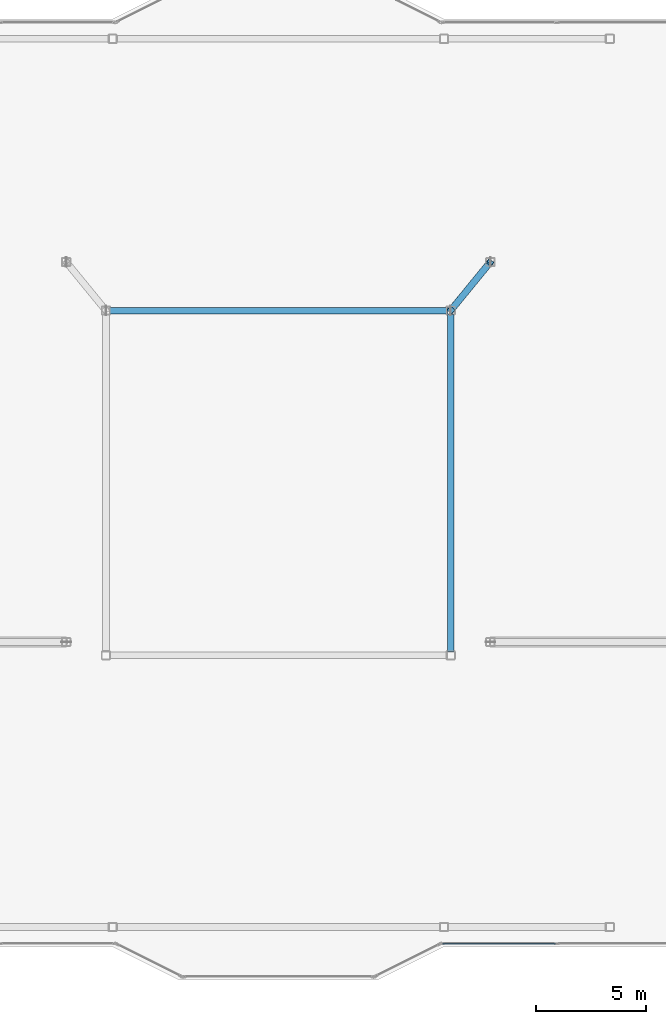
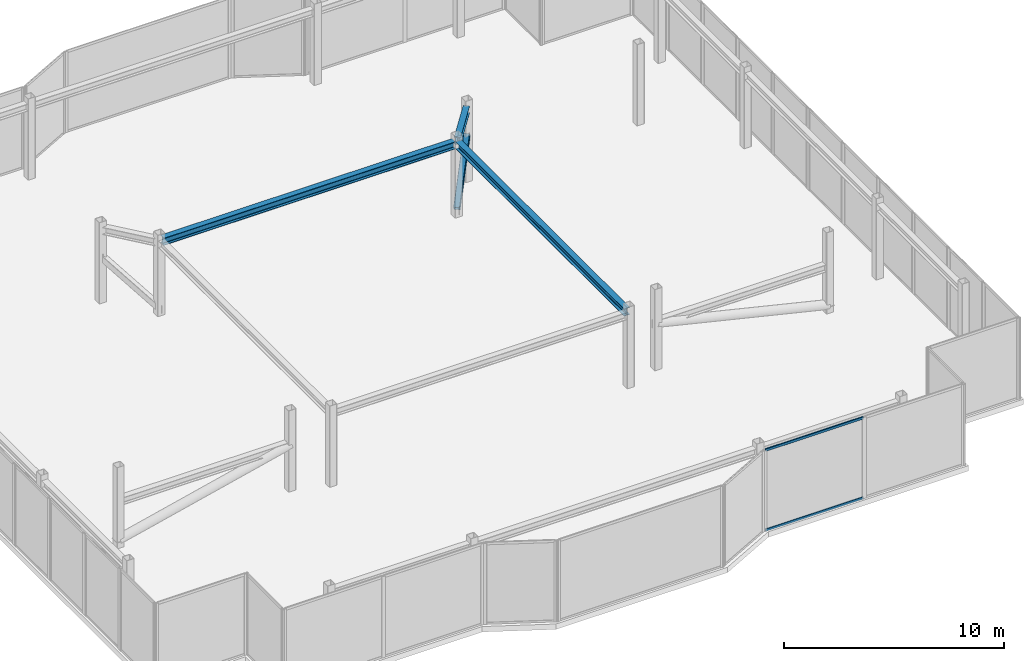
# One storey, part 7 of 14: 3 beams, 3 members, 1 element without a shape of its own.
"""IFC4 building model written with IfcOpenShell, lengths in metres."""

from ifc_helpers import new_model, si_unit, direction, frame, origin, origin_2d, place, context, subcontext, project, spatial, hollow_rectangle, i_section, extrude, material, layer, layer_set, material_profile, profile_set, type_object, element, aggregate, save


model = new_model("IFC4")

# Units and contexts
model_context = context("Model", 3, precision=1e-05, world=origin(), true_north=direction((0.0, 1.0)))
body_context = subcontext(model_context, "Body", "Model", "MODEL_VIEW")
ifc_project = project(units=[si_unit("LENGTHUNIT", "METRE"), si_unit("AREAUNIT", "SQUARE_METRE"), si_unit("VOLUMEUNIT", "CUBIC_METRE"), si_unit("PLANEANGLEUNIT", "RADIAN"), si_unit("MASSUNIT", "GRAM", prefix="KILO")], contexts=[model_context])

# Site, building, storey
site_placement = place(None, origin())
site = spatial("IfcSite", under=ifc_project, at=site_placement, CompositionType="ELEMENT")
building_placement = place(site_placement, origin())
building = spatial("IfcBuilding", under=site, at=building_placement, Name="Tarnavaz Court Tower", CompositionType="ELEMENT")
storey_placement = place(building_placement, frame((0.0, 0.0, 286.050048828125)))
storey = spatial("IfcBuildingStorey", under=building, at=storey_placement, Name="C02", CompositionType="ELEMENT", Elevation=286.050048828125)

# Beams
ifc_material_1 = material(Name="Steel S355", Category="steel")
ifc_material_profile_1 = material_profile(ifc_material_1, i_section(OverallWidth=0.300048828125, OverallDepth=0.39990234375, WebThickness=0.013427734375, FlangeThickness=0.02392578125, FilletRadius=0.027099609375, at=origin_2d()), Name="HEB 400")
ifc_profile_set_1 = profile_set([ifc_material_profile_1], Name="Steel S355")
beam_type = type_object("IfcBeamType", Name="BM-G-HEB400", PredefinedType="USERDEFINED", material=ifc_profile_set_1)
beam_1_placement = place(storey_placement, frame((-7.64990234375, 7.800048828125, 4.0), z_axis=(1.0, 0.0, 0.0), x_axis=(0.0, 1.0, 0.0)))
element("IfcBeam", 1, at=beam_1_placement, inside=storey, type_object=beam_type, Name="C02 Beam CRG-IW-NW-IW-NE", ObjectType="GIRDER", PredefinedType="USERDEFINED", context=body_context, shape_type="SweptSolid", body=[
    extrude(i_section(OverallWidth=0.300048828125, OverallDepth=0.39990234375, WebThickness=0.013427734375, FlangeThickness=0.02392578125, FilletRadius=0.027099609375, at=origin_2d()), origin(), (0.0, 0.0, 1.0), 15.2998046875),
])
beam_2_placement = place(storey_placement, frame((9.5048828125, 9.8837890625, 4.0), z_axis=(-0.633206414362, -0.773982969329, 0.0), x_axis=(0.773982969329, -0.633206414362, 0.0)))
element("IfcBeam", 2, at=beam_2_placement, inside=storey, type_object=beam_type, Name="C02 Beam CRG-CE-NI-IW-NE", ObjectType="GIRDER", PredefinedType="USERDEFINED", context=body_context, shape_type="SweptSolid", body=[
    extrude(i_section(OverallWidth=0.300048828125, OverallDepth=0.39990234375, WebThickness=0.013427734375, FlangeThickness=0.02392578125, FilletRadius=0.027099609375, at=origin_2d()), origin(), (0.0, 0.0, 1.0), 2.54248046875),
])
beam_3_placement = place(storey_placement, frame((7.800048828125, -7.64990234375, 4.0), z_axis=(0.0, 1.0, 0.0), x_axis=(-1.0, 0.0, 0.0)))
element("IfcBeam", 3, at=beam_3_placement, inside=storey, type_object=beam_type, Name="C02 Beam CRG-IW-SE-IW-NE", ObjectType="GIRDER", PredefinedType="USERDEFINED", context=body_context, shape_type="SweptSolid", body=[
    extrude(i_section(OverallWidth=0.300048828125, OverallDepth=0.39990234375, WebThickness=0.013427734375, FlangeThickness=0.02392578125, FilletRadius=0.027099609375, at=origin_2d()), origin(), (0.0, 0.0, 1.0), 15.2998046875),
])

# Curtain wall, members
ifc_material_2 = material(Name="Anodised Aluminium 6063-T6 and Solar Low-E Glazing", Category="aluminium")
ifc_layer = layer(ifc_material_2, 0.2099609375)
ifc_layer_set = layer_set([ifc_layer], Name="Anodised Aluminium 6063-T6 and Solar Low-E Glazing")
curtain_wall_type = type_object("IfcCurtainWallType", Name="CW-SYS-06", PredefinedType="NOTDEFINED", material=ifc_layer_set)
curtain_wall_placement = place(storey_placement, origin())
curtain_wall = element("IfcCurtainWall", 4, at=curtain_wall_placement, inside=storey, type_object=curtain_wall_type, Name="C02 Slanted Crown Terracotta Curtain Wall 37", PredefinedType="NOTDEFINED")
ifc_material_3 = material(Name="Anodised Aluminium 6063-T6", Category="aluminium")
ifc_material_profile_2 = material_profile(ifc_material_3, hollow_rectangle(XDim=0.06494140625, YDim=0.139892578125, WallThickness=0.00390625, InnerFilletRadius=0.00390625, OuterFilletRadius=0.008056640625, at=origin_2d()), Name="ALU RHS 140X65X4")
ifc_profile_set_2 = profile_set([ifc_material_profile_2], Name="Anodised Aluminium 6063-T6")
member_type_1 = type_object("IfcMemberType", Name="CW-TRN-140", PredefinedType="USERDEFINED", material=ifc_profile_set_2)
member_1_placement = place(storey_placement, frame((12.5576171875, -20.85009765625, 0.032470703125), z_axis=(-1.0, 0.0, 0.0), x_axis=(0.0, -1.0, 0.0)))
member_1 = element("IfcMember", 5, at=member_1_placement, type_object=member_type_1, Name="CW transom 2.1", ObjectType="TRANSOM", PredefinedType="USERDEFINED", context=body_context, shape_type="SweptSolid", body=[
    extrude(hollow_rectangle(XDim=0.06494140625, YDim=0.139892578125, WallThickness=0.00390625, InnerFilletRadius=0.00390625, OuterFilletRadius=0.008056640625, at=origin_2d()), origin(), (0.0, 0.0, 1.0), 5.12255859375),
])
member_2_placement = place(storey_placement, frame((12.5576171875, -20.85009765625, 4.467529296875), z_axis=(-1.0, 0.0, 0.0), x_axis=(0.0, -1.0, 0.0)))
member_2 = element("IfcMember", 6, at=member_2_placement, type_object=member_type_1, Name="CW transom 2.2", ObjectType="TRANSOM", PredefinedType="USERDEFINED", context=body_context, shape_type="SweptSolid", body=[
    extrude(hollow_rectangle(XDim=0.06494140625, YDim=0.139892578125, WallThickness=0.00390625, InnerFilletRadius=0.00390625, OuterFilletRadius=0.008056640625, at=origin_2d()), origin(), (0.0, 0.0, 1.0), 5.12255859375),
])
aggregate(curtain_wall, [member_1, member_2])

# Member
ifc_material_profile_3 = material_profile(ifc_material_1, hollow_rectangle(XDim=0.300048828125, YDim=0.300048828125, WallThickness=0.01611328125, InnerFilletRadius=0.01611328125, OuterFilletRadius=0.031982421875, at=origin_2d()), Name="SHS 300X300X16")
ifc_profile_set_3 = profile_set([ifc_material_profile_3], Name="Steel S355")
member_type_2 = type_object("IfcMemberType", Name="MB-CR-SHS200", PredefinedType="USERDEFINED", material=ifc_profile_set_3)
member_3_placement = place(storey_placement, frame((7.800048828125, 7.800048828125, 0.349853515625), z_axis=(0.505044427904, 0.617246078916, 0.603272246922), x_axis=(-0.773941992102, 0.633256498476, 0.0)))
element("IfcMember", 7, at=member_3_placement, inside=storey, type_object=member_type_2, Name="C02 Crown Frame E Core Brace Strut", ObjectType="CROWN FRAME", PredefinedType="USERDEFINED", context=body_context, shape_type="SweptSolid", body=[
    extrude(hollow_rectangle(XDim=0.300048828125, YDim=0.300048828125, WallThickness=0.01611328125, InnerFilletRadius=0.01611328125, OuterFilletRadius=0.031982421875, at=origin_2d()), origin(), (0.0, 0.0, 1.0), 3.564208984375),
])

save(model, "model.ifc")
